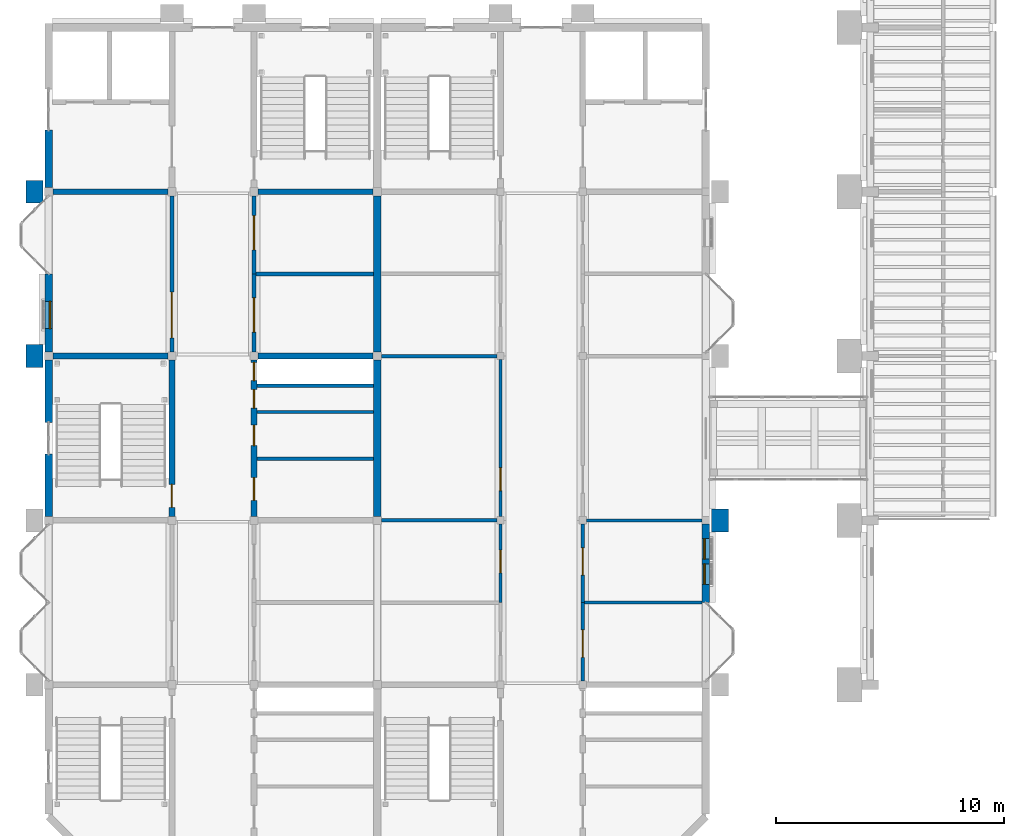
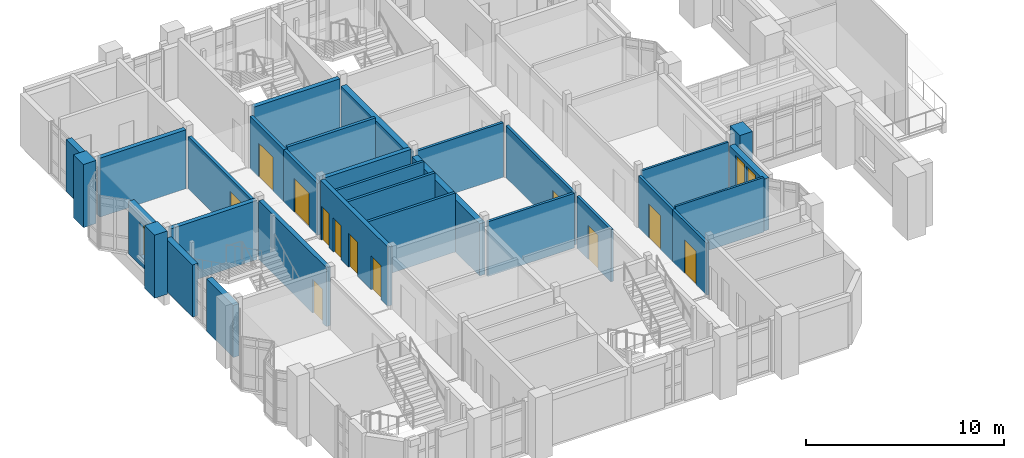
# One storey, part 40 of 69: 31 walls, 12 doors, 3 windows, 15 openings.
"""IFC4 building model written with IfcOpenShell, lengths in metres."""

from ifc_helpers import new_model, si_unit, direction, frame, frame_2d, origin, place, context, subcontext, project, spatial, rectangle, extrude, material, layer, layer_set, type_object, element, fill, save


model = new_model("IFC4")

# Units and contexts
model_context = context("Model", 3, precision=1e-05, world=origin(), true_north=direction((0.0, 1.0)))
body_context = subcontext(model_context, "Body", "Model", "MODEL_VIEW")
ifc_project = project(units=[si_unit("LENGTHUNIT", "METRE"), si_unit("AREAUNIT", "SQUARE_METRE"), si_unit("VOLUMEUNIT", "CUBIC_METRE"), si_unit("PLANEANGLEUNIT", "RADIAN"), si_unit("MASSUNIT", "GRAM", prefix="KILO")], contexts=[model_context])

# Site, building, storey
site_placement = place(None, origin())
site = spatial("IfcSite", under=ifc_project, at=site_placement, CompositionType="ELEMENT")
building_placement = place(site_placement, origin())
building = spatial("IfcBuilding", under=site, at=building_placement, Name="Mazhai Court Health Centre", CompositionType="ELEMENT")
storey_placement = place(building_placement, frame((0.0, 0.0, 6.300048828125)))
storey = spatial("IfcBuildingStorey", under=building, at=storey_placement, Name="L01", CompositionType="ELEMENT", Elevation=6.300048828125)

# Walls
ifc_material_1 = material(Name="Clay brick masonry", Category="masonry")
ifc_layer_1 = layer(ifc_material_1, 0.75)
ifc_layer_set_1 = layer_set([ifc_layer_1], Name="BRICK PIER 750")
wall_type_1 = type_object("IfcWallType", Name="BRICK PIER 750", PredefinedType="SOLIDWALL", material=ifc_layer_set_1)
for number, where, z_axis, x_axis, name in (
    (1, (5.574951171875, 27.300048828125, 0.0), (0.0, 0.0, 1.0), (0.0, 1.0, 0.0), "EP-V2-L01-A3"),
    (2, (5.574951171875, 34.5, 0.0), (0.0, 0.0, 1.0), (0.0, 1.0, 0.0), "EP-V2-L01-A4"),
    (3, (35.625, 21.10009765625, 0.0), (0.0, 0.0, 1.0), (0.0, -1.0, 0.0), "EP-V5-L01-B2"),
):
    element("IfcWall", number, at=place(storey_placement, frame(where, z_axis=z_axis, x_axis=x_axis)), inside=storey, type_object=wall_type_1, Name=name, PredefinedType="SOLIDWALL", context=body_context, shape_type="SweptSolid", body=[
        extrude(rectangle(XDim=1.0, YDim=0.75, at=frame_2d((0.5, 0.0))), origin(), (0.0, 0.0, 1.0), 3.89990234375),
    ])
ifc_material_2 = material(Name="Clay brick masonry", Category="masonry")
ifc_layer_2 = layer(ifc_material_2, 0.330078125)
ifc_layer_set_2 = layer_set([ifc_layer_2], Name="BRICK WALL 330 EXTERNAL")
wall_type_2 = type_object("IfcWallType", Name="BRICK WALL 330 EXTERNAL", PredefinedType="SOLIDWALL", material=ifc_layer_set_2)
wall_1_placement = place(storey_placement, frame((6.199951171875, 20.780029296875, 0.0), z_axis=(0.0, 0.0, 1.0), x_axis=(0.0, 1.0, 0.0)))
element("IfcWall", 4, at=wall_1_placement, inside=storey, type_object=wall_type_2, Name="EW-V2-L01-A2a", PredefinedType="SOLIDWALL", context=body_context, shape_type="SweptSolid", body=[
    extrude(rectangle(XDim=2.719970703125, YDim=0.330078125, at=frame_2d((1.35986328125, 0.0))), origin(), (0.0, 0.0, 1.0), 3.219970703125),
])
wall_2_placement = place(storey_placement, frame((6.199951171875, 24.89990234375, 0.0), z_axis=(0.0, 0.0, 1.0), x_axis=(0.0, 1.0, 0.0)))
element("IfcWall", 5, at=wall_2_placement, inside=storey, type_object=wall_type_2, Name="EW-V2-L01-A2b", PredefinedType="SOLIDWALL", context=body_context, shape_type="SweptSolid", body=[
    extrude(rectangle(XDim=2.72021484375, YDim=0.330078125, at=frame_2d((1.360107421875, 0.0))), origin(), (0.0, 0.0, 1.0), 3.219970703125),
])

# Wall, opening, window
wall_3_placement = place(storey_placement, frame((6.199951171875, 27.97998046875, 0.0), z_axis=(0.0, 0.0, 1.0), x_axis=(0.0, 1.0, 0.0)))
wall_3 = element("IfcWall", 6, at=wall_3_placement, inside=storey, type_object=wall_type_2, Name="EW-V2-L01-A3p0", PredefinedType="SOLIDWALL", context=body_context, shape_type="SweptSolid", body=[
    extrude(rectangle(XDim=3.419921875, YDim=0.330078125, at=frame_2d((1.7099609375, 0.0))), origin(), (0.0, 0.0, 1.0), 3.219970703125),
])
opening_1_placement = place(wall_3_placement, frame((1.02001953125, 0.0, 0.60009765625)))
opening_1 = element("IfcOpeningElement", 7, at=opening_1_placement, cuts=wall_3, Name="Opening W1", PredefinedType="OPENING", context=body_context, shape_type="SweptSolid", body=[
    extrude(rectangle(XDim=1.199951171875, YDim=2.10009765625, at=frame_2d((0.60009765625, 1.050048828125))), frame((0.0, 0.175048828125, 0.0), z_axis=(0.0, -1.0, 0.0), x_axis=(1.0, 0.0, 0.0)), (0.0, 0.0, 1.0), 0.35009765625),
])
ifc_material_3 = material(Name="Teak timber frame, glazed", Category="wood")
window_type_1 = type_object("IfcWindowType", Name="WINDOW CONSULTING 1200x2100", PartitioningType="SINGLE_PANEL", PredefinedType="WINDOW", material=ifc_material_3)
window_1_placement = place(opening_1_placement, origin())
window_1 = element("IfcWindow", 8, at=window_1_placement, inside=storey, type_object=window_type_1, Name="W1 WN-V2-L01-A30", OverallHeight=2.10009765625, OverallWidth=1.199951171875, PartitioningType="SINGLE_PANEL", PredefinedType="WINDOW", context=body_context, shape_type="SweptSolid", body=[
    extrude(rectangle(XDim=1.199951171875, YDim=2.10009765625, at=frame_2d((0.60009765625, 1.050048828125))), frame((0.0, -0.030029296875, 0.0), z_axis=(0.0, -1.0, 0.0), x_axis=(1.0, 0.0, 0.0)), (0.0, 0.0, 1.0), 0.06005859375),
])
fill(opening_1, window_1)

# Wall
wall_4_placement = place(storey_placement, frame((6.199951171875, 35.179931640625, 0.0), z_axis=(0.0, 0.0, 1.0), x_axis=(0.0, 1.0, 0.0)))
element("IfcWall", 9, at=wall_4_placement, inside=storey, type_object=wall_type_2, Name="EW-V2-L01-A4a", PredefinedType="SOLIDWALL", context=body_context, shape_type="SweptSolid", body=[
    extrude(rectangle(XDim=2.52001953125, YDim=0.330078125, at=frame_2d((1.260009765625, 0.0))), origin(), (0.0, 0.0, 1.0), 3.219970703125),
])

# Wall, openings, windows
wall_5_placement = place(storey_placement, frame((35.0, 20.43994140625, 0.0), z_axis=(0.0, 0.0, 1.0), x_axis=(0.0, -1.0, 0.0)))
wall_5 = element("IfcWall", 10, at=wall_5_placement, inside=storey, type_object=wall_type_2, Name="EW-V5-L01-B1p1", PredefinedType="SOLIDWALL", context=body_context, shape_type="SweptSolid", body=[
    extrude(rectangle(XDim=3.43994140625, YDim=0.330078125, at=frame_2d((1.719970703125, 0.0))), origin(), (0.0, 0.0, 1.0), 3.219970703125),
])
opening_2_placement = place(wall_5_placement, frame((1.739990234375, 0.0, 0.60009765625)))
opening_2 = element("IfcOpeningElement", 11, at=opening_2_placement, cuts=wall_5, Name="Opening W14", PredefinedType="OPENING", context=body_context, shape_type="SweptSolid", body=[
    extrude(rectangle(XDim=0.89990234375, YDim=2.39990234375, at=frame_2d((0.449951171875, 1.199951171875))), frame((0.0, 0.175048828125, 0.0), z_axis=(0.0, -1.0, 0.0), x_axis=(1.0, 0.0, 0.0)), (0.0, 0.0, 1.0), 0.35009765625),
])
opening_3_placement = place(wall_5_placement, frame((0.639892578125, 0.0, 0.60009765625)))
opening_3 = element("IfcOpeningElement", 12, at=opening_3_placement, cuts=wall_5, Name="Opening W14", PredefinedType="OPENING", context=body_context, shape_type="SweptSolid", body=[
    extrude(rectangle(XDim=0.89990234375, YDim=2.39990234375, at=frame_2d((0.449951171875, 1.199951171875))), frame((0.0, 0.175048828125, 0.0), z_axis=(0.0, -1.0, 0.0), x_axis=(1.0, 0.0, 0.0)), (0.0, 0.0, 1.0), 0.35009765625),
])
ifc_material_4 = material(Name="Teak timber frame, glazed", Category="wood")
window_type_2 = type_object("IfcWindowType", Name="WINDOW TALL PAIRED 900x2400", PartitioningType="SINGLE_PANEL", PredefinedType="WINDOW", material=ifc_material_4)
window_2_placement = place(opening_2_placement, origin())
window_2 = element("IfcWindow", 13, at=window_2_placement, inside=storey, type_object=window_type_2, Name="W14 WN-V5-L01-B11a", OverallHeight=2.39990234375, OverallWidth=0.89990234375, PartitioningType="SINGLE_PANEL", PredefinedType="WINDOW", context=body_context, shape_type="SweptSolid", body=[
    extrude(rectangle(XDim=0.89990234375, YDim=2.39990234375, at=frame_2d((0.449951171875, 1.199951171875))), frame((0.0, -0.030029296875, 0.0), z_axis=(0.0, -1.0, 0.0), x_axis=(1.0, 0.0, 0.0)), (0.0, 0.0, 1.0), 0.06005859375),
])
fill(opening_2, window_2)
window_3_placement = place(opening_3_placement, origin())
window_3 = element("IfcWindow", 14, at=window_3_placement, inside=storey, type_object=window_type_2, Name="W14 WN-V5-L01-B11b", OverallHeight=2.39990234375, OverallWidth=0.89990234375, PartitioningType="SINGLE_PANEL", PredefinedType="WINDOW", context=body_context, shape_type="SweptSolid", body=[
    extrude(rectangle(XDim=0.89990234375, YDim=2.39990234375, at=frame_2d((0.449951171875, 1.199951171875))), frame((0.0, -0.030029296875, 0.0), z_axis=(0.0, -1.0, 0.0), x_axis=(1.0, 0.0, 0.0)), (0.0, 0.0, 1.0), 0.06005859375),
])
fill(opening_3, window_3)

# Walls
ifc_material_5 = material(Name="Clay brick masonry", Category="masonry")
ifc_layer_3 = layer(ifc_material_5, 0.330078125)
ifc_layer_set_3 = layer_set([ifc_layer_3], Name="BRICK WALL 330 INTERNAL")
wall_type_3 = type_object("IfcWallType", Name="BRICK WALL 330 INTERNAL", PredefinedType="SOLIDWALL", material=ifc_layer_set_3)
for number, where, z_axis, x_axis, name in (
    (15, (20.60009765625, 27.6201171875, 0.0), (0.0, 0.0, 1.0), (0.0, -1.0, 0.0), "EW-V2-L01-B2"),
    (16, (20.60009765625, 34.820068359375, 0.0), (0.0, 0.0, 1.0), (0.0, -1.0, 0.0), "EW-V2-L01-B3"),
):
    element("IfcWall", number, at=place(storey_placement, frame(where, z_axis=z_axis, x_axis=x_axis)), inside=storey, type_object=wall_type_3, Name=name, PredefinedType="SOLIDWALL", context=body_context, shape_type="SweptSolid", body=[
        extrude(rectangle(XDim=6.840087890625, YDim=0.330078125, at=frame_2d((3.419921875, 0.0))), origin(), (0.0, 0.0, 1.0), 3.219970703125),
    ])
ifc_material_6 = material(Name="Gypsum plasterboard partition")
ifc_layer_4 = layer(ifc_material_6, 0.125)
ifc_layer_set_4 = layer_set([ifc_layer_4], Name="PARTITION 125 STUD EI30")
wall_type_4 = type_object("IfcWallType", Name="PARTITION 125 STUD EI30", PredefinedType="PARTITIONING", material=ifc_layer_set_4)
wall_6_placement = place(storey_placement, frame((34.8349609375, 17.0, 0.0), z_axis=(0.0, 0.0, 1.0), x_axis=(-1.0, 0.0, 0.0)))
element("IfcWall", 17, at=wall_6_placement, inside=storey, type_object=wall_type_4, Name="wall-V5-L01-B0-cross-1a", PredefinedType="PARTITIONING", context=body_context, shape_type="SweptSolid", body=[
    extrude(rectangle(XDim=5.159912109375, YDim=0.125, at=frame_2d((2.580078125, 0.0))), origin(), (0.0, 0.0, 1.0), 3.3798828125),
])
wall_7_placement = place(storey_placement, frame((34.8349609375, 20.60009765625, 0.0), z_axis=(0.0, 0.0, 1.0), x_axis=(-1.0, 0.0, 0.0)))
element("IfcWall", 18, at=wall_7_placement, inside=storey, type_object=wall_type_4, Name="wall-V5-L01-B0-cross-2a", PredefinedType="PARTITIONING", context=body_context, shape_type="SweptSolid", body=[
    extrude(rectangle(XDim=5.074951171875, YDim=0.125, at=frame_2d((2.53759765625, 0.0))), origin(), (0.0, 0.0, 1.0), 3.3798828125),
])

# Wall, opening, door
ifc_material_7 = material(Name="Gypsum plasterboard partition")
ifc_layer_5 = layer(ifc_material_7, 0.14990234375)
ifc_layer_set_5 = layer_set([ifc_layer_5], Name="PARTITION 150 CORRIDOR EI60")
wall_type_5 = type_object("IfcWallType", Name="PARTITION 150 CORRIDOR EI60", PredefinedType="PARTITIONING", material=ifc_layer_set_5)
wall_8_placement = place(storey_placement, frame((26.0, 17.0, 0.0), z_axis=(0.0, 0.0, 1.0), x_axis=(0.0, 1.0, 0.0)))
wall_8 = element("IfcWall", 19, at=wall_8_placement, inside=storey, type_object=wall_type_5, Name="wall-V5-L01-A0-corr-1a", PredefinedType="PARTITIONING", context=body_context, shape_type="SweptSolid", body=[
    extrude(rectangle(XDim=3.43994140625, YDim=0.14990234375, at=frame_2d((1.719970703125, 0.0))), origin(), (0.0, 0.0, 1.0), 3.219970703125),
])
opening_4_placement = place(wall_8_placement, frame((1.300048828125, 0.0, 0.0)))
opening_4 = element("IfcOpeningElement", 20, at=opening_4_placement, cuts=wall_8, Name="Opening D-L01-021", PredefinedType="OPENING", context=body_context, shape_type="SweptSolid", body=[
    extrude(rectangle(XDim=1.0, YDim=2.10009765625, at=frame_2d((0.5, 1.050048828125))), frame((0.0, 0.0849609375, 0.0), z_axis=(0.0, -1.0, 0.0), x_axis=(1.0, 0.0, 0.0)), (0.0, 0.0, 1.0), 0.169921875),
])
ifc_material_8 = material(Name="Hardwood door leaf", Category="wood")
door_type_1 = type_object("IfcDoorType", Name="DOOR 1000x2100 FD30S SINGLE", OperationType="NOTDEFINED", PredefinedType="DOOR", material=ifc_material_8)
door_1_placement = place(opening_4_placement, origin())
door_1 = element("IfcDoor", 21, at=door_1_placement, inside=storey, type_object=door_type_1, Name="door-V5-L01-A0-specimen-reception", OperationType="SINGLE_SWING_RIGHT", OverallHeight=2.10009765625, OverallWidth=1.0, PredefinedType="DOOR", context=body_context, shape_type="SweptSolid", body=[
    extrude(rectangle(XDim=1.0, YDim=2.10009765625, at=frame_2d((0.5, 1.050048828125))), frame((0.0, 0.02490234375, 0.0), z_axis=(0.0, -1.0, 0.0), x_axis=(1.0, 0.0, 0.0)), (0.0, 0.0, 1.0), 0.050048828125),
])
fill(opening_4, door_1)

wall_9_placement = place(storey_placement, frame((26.0, 20.760009765625, 0.0), z_axis=(0.0, 0.0, 1.0), x_axis=(0.0, 1.0, 0.0)))
wall_9 = element("IfcWall", 22, at=wall_9_placement, inside=storey, type_object=wall_type_5, Name="wall-V5-L01-A0-corr-2a", PredefinedType="PARTITIONING", context=body_context, shape_type="SweptSolid", body=[
    extrude(rectangle(XDim=6.8798828125, YDim=0.14990234375, at=frame_2d((3.43994140625, 0.0))), origin(), (0.0, 0.0, 1.0), 3.219970703125),
])
opening_5_placement = place(wall_9_placement, frame((1.139892578125, 0.0, 0.0)))
opening_5 = element("IfcOpeningElement", 23, at=opening_5_placement, cuts=wall_9, Name="Opening D-L01-022", PredefinedType="OPENING", context=body_context, shape_type="SweptSolid", body=[
    extrude(rectangle(XDim=1.0, YDim=2.10009765625, at=frame_2d((0.5, 1.050048828125))), frame((0.0, 0.0849609375, 0.0), z_axis=(0.0, -1.0, 0.0), x_axis=(1.0, 0.0, 0.0)), (0.0, 0.0, 1.0), 0.169921875),
])
door_2_placement = place(opening_5_placement, origin())
door_2 = element("IfcDoor", 24, at=door_2_placement, inside=storey, type_object=door_type_1, Name="door-V5-L01-A0-clinical-biochemistry-laboratory", OperationType="SINGLE_SWING_LEFT", OverallHeight=2.10009765625, OverallWidth=1.0, PredefinedType="DOOR", context=body_context, shape_type="SweptSolid", body=[
    extrude(rectangle(XDim=1.0, YDim=2.10009765625, at=frame_2d((0.5, 1.050048828125))), frame((0.0, 0.02490234375, 0.0), z_axis=(0.0, -1.0, 0.0), x_axis=(1.0, 0.0, 0.0)), (0.0, 0.0, 1.0), 0.050048828125),
])
fill(opening_5, door_2)

wall_10_placement = place(storey_placement, frame((29.60009765625, 17.0, 0.0), z_axis=(0.0, 0.0, 1.0), x_axis=(0.0, -1.0, 0.0)))
wall_10 = element("IfcWall", 25, at=wall_10_placement, inside=storey, type_object=wall_type_5, Name="wall-V5-L01-B0-corr-0a", PredefinedType="PARTITIONING", context=body_context, shape_type="SweptSolid", body=[
    extrude(rectangle(XDim=3.43994140625, YDim=0.14990234375, at=frame_2d((1.719970703125, 0.0))), origin(), (0.0, 0.0, 1.0), 3.219970703125),
])
opening_6_placement = place(wall_10_placement, frame((1.199951171875, 0.0, 0.0)))
opening_6 = element("IfcOpeningElement", 26, at=opening_6_placement, cuts=wall_10, Name="Opening D-L01-030", PredefinedType="OPENING", context=body_context, shape_type="SweptSolid", body=[
    extrude(rectangle(XDim=1.199951171875, YDim=2.10009765625, at=frame_2d((0.60009765625, 1.050048828125))), frame((0.0, 0.0849609375, 0.0), z_axis=(0.0, -1.0, 0.0), x_axis=(1.0, 0.0, 0.0)), (0.0, 0.0, 1.0), 0.169921875),
])
ifc_material_9 = material(Name="Hardwood door leaf", Category="wood")
door_type_2 = type_object("IfcDoorType", Name="DOOR 1200x2100 FD30S WIDE SINGLE", OperationType="NOTDEFINED", PredefinedType="DOOR", material=ifc_material_9)
door_3_placement = place(opening_6_placement, origin())
door_3 = element("IfcDoor", 27, at=door_3_placement, inside=storey, type_object=door_type_2, Name="door-V5-L01-B0-dental-surgery-1", OperationType="SINGLE_SWING_RIGHT", OverallHeight=2.10009765625, OverallWidth=1.199951171875, PredefinedType="DOOR", context=body_context, shape_type="SweptSolid", body=[
    extrude(rectangle(XDim=1.199951171875, YDim=2.10009765625, at=frame_2d((0.60009765625, 1.050048828125))), frame((0.0, 0.02490234375, 0.0), z_axis=(0.0, -1.0, 0.0), x_axis=(1.0, 0.0, 0.0)), (0.0, 0.0, 1.0), 0.050048828125),
])
fill(opening_6, door_3)

wall_11_placement = place(storey_placement, frame((29.60009765625, 20.43994140625, 0.0), z_axis=(0.0, 0.0, 1.0), x_axis=(0.0, -1.0, 0.0)))
wall_11 = element("IfcWall", 28, at=wall_11_placement, inside=storey, type_object=wall_type_5, Name="wall-V5-L01-B0-corr-1a", PredefinedType="PARTITIONING", context=body_context, shape_type="SweptSolid", body=[
    extrude(rectangle(XDim=3.43994140625, YDim=0.14990234375, at=frame_2d((1.719970703125, 0.0))), origin(), (0.0, 0.0, 1.0), 3.219970703125),
])
opening_7_placement = place(wall_11_placement, frame((1.0400390625, 0.0, 0.0)))
opening_7 = element("IfcOpeningElement", 29, at=opening_7_placement, cuts=wall_11, Name="Opening D-L01-031", PredefinedType="OPENING", context=body_context, shape_type="SweptSolid", body=[
    extrude(rectangle(XDim=1.199951171875, YDim=2.10009765625, at=frame_2d((0.60009765625, 1.050048828125))), frame((0.0, 0.0849609375, 0.0), z_axis=(0.0, -1.0, 0.0), x_axis=(1.0, 0.0, 0.0)), (0.0, 0.0, 1.0), 0.169921875),
])
door_4_placement = place(opening_7_placement, origin())
door_4 = element("IfcDoor", 30, at=door_4_placement, inside=storey, type_object=door_type_2, Name="door-V5-L01-B0-dental-surgery-2", OperationType="SINGLE_SWING_LEFT", OverallHeight=2.10009765625, OverallWidth=1.199951171875, PredefinedType="DOOR", context=body_context, shape_type="SweptSolid", body=[
    extrude(rectangle(XDim=1.199951171875, YDim=2.10009765625, at=frame_2d((0.60009765625, 1.050048828125))), frame((0.0, 0.02490234375, 0.0), z_axis=(0.0, -1.0, 0.0), x_axis=(1.0, 0.0, 0.0)), (0.0, 0.0, 1.0), 0.050048828125),
])
fill(opening_7, door_4)

# Walls
ifc_material_10 = material(Name="Gypsum plasterboard partition")
ifc_layer_6 = layer(ifc_material_10, 0.14990234375)
ifc_layer_set_6 = layer_set([ifc_layer_6], Name="PARTITION 150 WET AREA EI30")
wall_type_6 = type_object("IfcWallType", Name="PARTITION 150 WET AREA EI30", PredefinedType="PARTITIONING", material=ifc_layer_set_6)
for number, where, z_axis, x_axis, name in (
    (31, (20.780029296875, 20.60009765625, 0.0), (0.0, 0.0, 1.0), (1.0, 0.0, 0.0), "wall-V5-L01-A0-cross-2a"),
    (32, (20.780029296875, 27.800048828125, 0.0), (0.0, 0.0, 1.0), (1.0, 0.0, 0.0), "wall-V5-L01-A0-cross-3a"),
):
    element("IfcWall", number, at=place(storey_placement, frame(where, z_axis=z_axis, x_axis=x_axis)), inside=storey, type_object=wall_type_6, Name=name, PredefinedType="PARTITIONING", context=body_context, shape_type="SweptSolid", body=[
        extrude(rectangle(XDim=5.06005859375, YDim=0.14990234375, at=frame_2d((2.530029296875, 0.0))), origin(), (0.0, 0.0, 1.0), 3.3798828125),
    ])

# Wall, opening, door
ifc_material_11 = material(Name="Gypsum plasterboard partition")
ifc_layer_7 = layer(ifc_material_11, 0.175048828125)
ifc_layer_set_7 = layer_set([ifc_layer_7], Name="PARTITION 175 FIRE EI60")
wall_type_7 = type_object("IfcWallType", Name="PARTITION 175 FIRE EI60", PredefinedType="PARTITIONING", material=ifc_layer_set_7)
wall_12_placement = place(storey_placement, frame((11.60009765625, 27.97998046875, 0.0), z_axis=(0.0, 0.0, 1.0), x_axis=(0.0, 1.0, 0.0)))
wall_12 = element("IfcWall", 33, at=wall_12_placement, inside=storey, type_object=wall_type_7, Name="wall-V2-L01-A1-corr-0a", PredefinedType="PARTITIONING", context=body_context, shape_type="SweptSolid", body=[
    extrude(rectangle(XDim=6.840087890625, YDim=0.175048828125, at=frame_2d((3.419921875, 0.0))), origin(), (0.0, 0.0, 1.0), 3.219970703125),
])
opening_8_placement = place(wall_12_placement, frame((0.6201171875, 0.0, 0.0)))
opening_8 = element("IfcOpeningElement", 34, at=opening_8_placement, cuts=wall_12, Name="Opening D-L01-004", PredefinedType="OPENING", context=body_context, shape_type="SweptSolid", body=[
    extrude(rectangle(XDim=2.0, YDim=2.39990234375, at=frame_2d((1.0, 1.199951171875))), frame((0.0, 0.097412109375, 0.0), z_axis=(0.0, -1.0, 0.0), x_axis=(1.0, 0.0, 0.0)), (0.0, 0.0, 1.0), 0.195068359375),
])
ifc_material_12 = material(Name="Hardwood door leaf", Category="wood")
door_type_3 = type_object("IfcDoorType", Name="DOOR 2000x2400 FD60 THEATRE DOUBLE", OperationType="NOTDEFINED", PredefinedType="DOOR", material=ifc_material_12)
door_5_placement = place(opening_8_placement, origin())
door_5 = element("IfcDoor", 35, at=door_5_placement, inside=storey, type_object=door_type_3, Name="door-V2-L01-A1-operating-theatre-2", OperationType="DOUBLE_DOOR_SINGLE_SWING", OverallHeight=2.39990234375, OverallWidth=2.0, PredefinedType="DOOR", context=body_context, shape_type="SweptSolid", body=[
    extrude(rectangle(XDim=2.0, YDim=2.39990234375, at=frame_2d((1.0, 1.199951171875))), frame((0.0, 0.02490234375, 0.0), z_axis=(0.0, -1.0, 0.0), x_axis=(1.0, 0.0, 0.0)), (0.0, 0.0, 1.0), 0.050048828125),
])
fill(opening_8, door_5)

wall_13_placement = place(storey_placement, frame((15.199951171875, 31.39990234375, 0.0), z_axis=(0.0, 0.0, 1.0), x_axis=(0.0, -1.0, 0.0)))
wall_13 = element("IfcWall", 36, at=wall_13_placement, inside=storey, type_object=wall_type_7, Name="wall-V2-L01-B1-corr-0a", PredefinedType="PARTITIONING", context=body_context, shape_type="SweptSolid", body=[
    extrude(rectangle(XDim=3.419921875, YDim=0.175048828125, at=frame_2d((1.7099609375, 0.0))), origin(), (0.0, 0.0, 1.0), 3.219970703125),
])
opening_9_placement = place(wall_13_placement, frame((1.050048828125, 0.0, 0.0)))
opening_9 = element("IfcOpeningElement", 37, at=opening_9_placement, cuts=wall_13, Name="Opening D-L01-016", PredefinedType="OPENING", context=body_context, shape_type="SweptSolid", body=[
    extrude(rectangle(XDim=1.5, YDim=2.10009765625, at=frame_2d((0.75, 1.050048828125))), frame((0.0, 0.097412109375, 0.0), z_axis=(0.0, -1.0, 0.0), x_axis=(1.0, 0.0, 0.0)), (0.0, 0.0, 1.0), 0.195068359375),
])
ifc_material_13 = material(Name="Hardwood door leaf", Category="wood")
door_type_4 = type_object("IfcDoorType", Name="DOOR 1500x2100 FD60 DOUBLE", OperationType="NOTDEFINED", PredefinedType="DOOR", material=ifc_material_13)
door_6_placement = place(opening_9_placement, origin())
door_6 = element("IfcDoor", 38, at=door_6_placement, inside=storey, type_object=door_type_4, Name="door-V2-L01-B1-sterile-store", OperationType="DOUBLE_DOOR_SINGLE_SWING", OverallHeight=2.10009765625, OverallWidth=1.5, PredefinedType="DOOR", context=body_context, shape_type="SweptSolid", body=[
    extrude(rectangle(XDim=1.5, YDim=2.10009765625, at=frame_2d((0.75, 1.050048828125))), frame((0.0, 0.02490234375, 0.0), z_axis=(0.0, -1.0, 0.0), x_axis=(1.0, 0.0, 0.0)), (0.0, 0.0, 1.0), 0.050048828125),
])
fill(opening_9, door_6)

wall_14_placement = place(storey_placement, frame((15.199951171875, 34.820068359375, 0.0), z_axis=(0.0, 0.0, 1.0), x_axis=(0.0, -1.0, 0.0)))
wall_14 = element("IfcWall", 39, at=wall_14_placement, inside=storey, type_object=wall_type_7, Name="wall-V2-L01-B1-corr-1a", PredefinedType="PARTITIONING", context=body_context, shape_type="SweptSolid", body=[
    extrude(rectangle(XDim=3.420166015625, YDim=0.175048828125, at=frame_2d((1.7099609375, 0.0))), origin(), (0.0, 0.0, 1.0), 3.219970703125),
])
opening_10_placement = place(wall_14_placement, frame((0.8701171875, 0.0, 0.0)))
opening_10 = element("IfcOpeningElement", 40, at=opening_10_placement, cuts=wall_14, Name="Opening D-L01-017", PredefinedType="OPENING", context=body_context, shape_type="SweptSolid", body=[
    extrude(rectangle(XDim=1.5, YDim=2.10009765625, at=frame_2d((0.75, 1.050048828125))), frame((0.0, 0.097412109375, 0.0), z_axis=(0.0, -1.0, 0.0), x_axis=(1.0, 0.0, 0.0)), (0.0, 0.0, 1.0), 0.195068359375),
])
door_7_placement = place(opening_10_placement, origin())
door_7 = element("IfcDoor", 41, at=door_7_placement, inside=storey, type_object=door_type_4, Name="door-V2-L01-B1-clean-utility", OperationType="DOUBLE_DOOR_SINGLE_SWING", OverallHeight=2.10009765625, OverallWidth=1.5, PredefinedType="DOOR", context=body_context, shape_type="SweptSolid", body=[
    extrude(rectangle(XDim=1.5, YDim=2.10009765625, at=frame_2d((0.75, 1.050048828125))), frame((0.0, 0.02490234375, 0.0), z_axis=(0.0, -1.0, 0.0), x_axis=(1.0, 0.0, 0.0)), (0.0, 0.0, 1.0), 0.050048828125),
])
fill(opening_10, door_7)

# Wall
wall_15_placement = place(storey_placement, frame((20.43505859375, 31.39990234375, 0.0), z_axis=(0.0, 0.0, 1.0), x_axis=(-1.0, 0.0, 0.0)))
element("IfcWall", 42, at=wall_15_placement, inside=storey, type_object=wall_type_7, Name="wall-V2-L01-B1-cross-1a", PredefinedType="PARTITIONING", context=body_context, shape_type="SweptSolid", body=[
    extrude(rectangle(XDim=5.1474609375, YDim=0.175048828125, at=frame_2d((2.57373046875, 0.0))), origin(), (0.0, 0.0, 1.0), 3.3798828125),
])

# Wall, opening, door
ifc_material_14 = material(Name="Concrete M40", Category="concrete")
ifc_layer_8 = layer(ifc_material_14, 0.25)
ifc_layer_set_8 = layer_set([ifc_layer_8], Name="RC CORE WALL 250 M40")
wall_type_8 = type_object("IfcWallType", Name="RC CORE WALL 250 M40", PredefinedType="SHEAR", material=ifc_layer_set_8)
wall_16_placement = place(storey_placement, frame((11.60009765625, 20.780029296875, 0.0), z_axis=(0.0, 0.0, 1.0), x_axis=(0.0, 1.0, 0.0)))
wall_16 = element("IfcWall", 43, at=wall_16_placement, inside=storey, type_object=wall_type_8, Name="core-C2-w-stair-corr-L01", PredefinedType="SHEAR", context=body_context, shape_type="SweptSolid", body=[
    extrude(rectangle(XDim=6.840087890625, YDim=0.25, at=frame_2d((3.419921875, 0.0))), origin(), (0.0, 0.0, 1.0), 3.64990234375),
])
opening_11_placement = place(wall_16_placement, frame((0.39501953125, 0.0, 0.0)))
opening_11 = element("IfcOpeningElement", 44, at=opening_11_placement, cuts=wall_16, Name="Opening D-L01-003", PredefinedType="OPENING", context=body_context, shape_type="SweptSolid", body=[
    extrude(rectangle(XDim=1.0, YDim=2.10009765625, at=frame_2d((0.5, 1.050048828125))), frame((0.0, 0.135009765625, 0.0), z_axis=(0.0, -1.0, 0.0), x_axis=(1.0, 0.0, 0.0)), (0.0, 0.0, 1.0), 0.27001953125),
])
ifc_material_15 = material(Name="Steel fire door leaf", Category="steel")
door_type_5 = type_object("IfcDoorType", Name="FD120S STAIR DOOR 1000x2100", OperationType="SINGLE_SWING_LEFT", PredefinedType="DOOR", material=ifc_material_15)
door_8_placement = place(opening_11_placement, origin())
door_8 = element("IfcDoor", 45, at=door_8_placement, inside=storey, type_object=door_type_5, Name="Stair 2 door L01", OperationType="SINGLE_SWING_RIGHT", OverallHeight=2.10009765625, OverallWidth=1.0, PredefinedType="DOOR", context=body_context, shape_type="SweptSolid", body=[
    extrude(rectangle(XDim=1.0, YDim=2.10009765625, at=frame_2d((0.5, 1.050048828125))), frame((0.0, 0.02490234375, 0.0), z_axis=(0.0, -1.0, 0.0), x_axis=(1.0, 0.0, 0.0)), (0.0, 0.0, 1.0), 0.050048828125),
])
fill(opening_11, door_8)

# Wall
wall_17_placement = place(storey_placement, frame((6.3798828125, 27.800048828125, 0.0), z_axis=(0.0, 0.0, 1.0), x_axis=(1.0, 0.0, 0.0)))
element("IfcWall", 46, at=wall_17_placement, inside=storey, type_object=wall_type_8, Name="core-C2-w-stair-line1-L01", PredefinedType="SHEAR", context=body_context, shape_type="SweptSolid", body=[
    extrude(rectangle(XDim=5.0400390625, YDim=0.25, at=frame_2d((2.52001953125, 0.0))), origin(), (0.0, 0.0, 1.0), 3.64990234375),
])

# Wall, openings, doors
wall_18_placement = place(storey_placement, frame((15.199951171875, 20.780029296875, 0.0), z_axis=(0.0, 0.0, 1.0), x_axis=(0.0, 1.0, 0.0)))
wall_18 = element("IfcWall", 47, at=wall_18_placement, inside=storey, type_object=wall_type_8, Name="core-C2-w-other-corr-L01", PredefinedType="SHEAR", context=body_context, shape_type="SweptSolid", body=[
    extrude(rectangle(XDim=6.840087890625, YDim=0.25, at=frame_2d((3.419921875, 0.0))), origin(), (0.0, 0.0, 1.0), 3.64990234375),
])
opening_12_placement = place(wall_18_placement, frame((0.695068359375, 0.0, 0.0)))
opening_12 = element("IfcOpeningElement", 48, at=opening_12_placement, cuts=wall_18, Name="Opening D-L01-012", PredefinedType="OPENING", context=body_context, shape_type="SweptSolid", body=[
    extrude(rectangle(XDim=1.0, YDim=2.10009765625, at=frame_2d((0.5, 1.050048828125))), frame((0.0, 0.135009765625, 0.0), z_axis=(0.0, -1.0, 0.0), x_axis=(1.0, 0.0, 0.0)), (0.0, 0.0, 1.0), 0.27001953125),
])
opening_13_placement = place(wall_18_placement, frame((3.094970703125, 0.0, 0.0)))
opening_13 = element("IfcOpeningElement", 49, at=opening_13_placement, cuts=wall_18, Name="Opening D-L01-013", PredefinedType="OPENING", context=body_context, shape_type="SweptSolid", body=[
    extrude(rectangle(XDim=0.89990234375, YDim=2.10009765625, at=frame_2d((0.449951171875, 1.050048828125))), frame((0.0, 0.135009765625, 0.0), z_axis=(0.0, -1.0, 0.0), x_axis=(1.0, 0.0, 0.0)), (0.0, 0.0, 1.0), 0.27001953125),
])
opening_14_placement = place(wall_18_placement, frame((4.7451171875, 0.0, 0.0)))
opening_14 = element("IfcOpeningElement", 50, at=opening_14_placement, cuts=wall_18, Name="Opening D-L01-014", PredefinedType="OPENING", context=body_context, shape_type="SweptSolid", body=[
    extrude(rectangle(XDim=0.800048828125, YDim=2.10009765625, at=frame_2d((0.39990234375, 1.050048828125))), frame((0.0, 0.135009765625, 0.0), z_axis=(0.0, -1.0, 0.0), x_axis=(1.0, 0.0, 0.0)), (0.0, 0.0, 1.0), 0.27001953125),
])
opening_15_placement = place(wall_18_placement, frame((5.945068359375, 0.0, 0.0)))
opening_15 = element("IfcOpeningElement", 51, at=opening_15_placement, cuts=wall_18, Name="Opening D-L01-015", PredefinedType="OPENING", context=body_context, shape_type="SweptSolid", body=[
    extrude(rectangle(XDim=0.800048828125, YDim=2.10009765625, at=frame_2d((0.39990234375, 1.050048828125))), frame((0.0, 0.135009765625, 0.0), z_axis=(0.0, -1.0, 0.0), x_axis=(1.0, 0.0, 0.0)), (0.0, 0.0, 1.0), 0.27001953125),
])
ifc_material_16 = material(Name="Timber door leaf", Category="wood")
door_type_6 = type_object("IfcDoorType", Name="ACCESSIBLE WC DOOR 1000x2100", OperationType="SINGLE_SWING_RIGHT", PredefinedType="DOOR", material=ifc_material_16)
door_9_placement = place(opening_12_placement, origin())
door_9 = element("IfcDoor", 52, at=door_9_placement, inside=storey, type_object=door_type_6, Name="Accessible WC door L01", OperationType="SINGLE_SWING_LEFT", OverallHeight=2.10009765625, OverallWidth=1.0, PredefinedType="DOOR", context=body_context, shape_type="SweptSolid", body=[
    extrude(rectangle(XDim=1.0, YDim=2.10009765625, at=frame_2d((0.5, 1.050048828125))), frame((0.0, 0.02490234375, 0.0), z_axis=(0.0, -1.0, 0.0), x_axis=(1.0, 0.0, 0.0)), (0.0, 0.0, 1.0), 0.050048828125),
])
fill(opening_12, door_9)
ifc_material_17 = material(Name="Timber door leaf", Category="wood")
door_type_7 = type_object("IfcDoorType", Name="CLEANER STORE DOOR 800x2100", OperationType="SINGLE_SWING_LEFT", PredefinedType="DOOR", material=ifc_material_17)
door_10_placement = place(opening_14_placement, origin())
door_10 = element("IfcDoor", 53, at=door_10_placement, inside=storey, type_object=door_type_7, Name="Cleaner door L01", OperationType="SINGLE_SWING_LEFT", OverallHeight=2.10009765625, OverallWidth=0.800048828125, PredefinedType="DOOR", context=body_context, shape_type="SweptSolid", body=[
    extrude(rectangle(XDim=0.800048828125, YDim=2.10009765625, at=frame_2d((0.39990234375, 1.050048828125))), frame((0.0, 0.02490234375, 0.0), z_axis=(0.0, -1.0, 0.0), x_axis=(1.0, 0.0, 0.0)), (0.0, 0.0, 1.0), 0.050048828125),
])
fill(opening_14, door_10)
ifc_material_18 = material(Name="Steel fire door leaf", Category="steel")
door_type_8 = type_object("IfcDoorType", Name="FD60S RISER DOOR 800x2100", OperationType="SINGLE_SWING_LEFT", PredefinedType="DOOR", material=ifc_material_18)
door_11_placement = place(opening_15_placement, origin())
door_11 = element("IfcDoor", 54, at=door_11_placement, inside=storey, type_object=door_type_8, Name="Riser door L01", OperationType="SINGLE_SWING_LEFT", OverallHeight=2.10009765625, OverallWidth=0.800048828125, PredefinedType="DOOR", context=body_context, shape_type="SweptSolid", body=[
    extrude(rectangle(XDim=0.800048828125, YDim=2.10009765625, at=frame_2d((0.39990234375, 1.050048828125))), frame((0.0, 0.02490234375, 0.0), z_axis=(0.0, -1.0, 0.0), x_axis=(1.0, 0.0, 0.0)), (0.0, 0.0, 1.0), 0.050048828125),
])
fill(opening_15, door_11)
ifc_material_19 = material(Name="Timber door leaf", Category="wood")
door_type_9 = type_object("IfcDoorType", Name="WC DOOR 900x2100", OperationType="SINGLE_SWING_LEFT", PredefinedType="DOOR", material=ifc_material_19)
door_12_placement = place(opening_13_placement, origin())
door_12 = element("IfcDoor", 55, at=door_12_placement, inside=storey, type_object=door_type_9, Name="WC door L01", OperationType="SINGLE_SWING_LEFT", OverallHeight=2.10009765625, OverallWidth=0.89990234375, PredefinedType="DOOR", context=body_context, shape_type="SweptSolid", body=[
    extrude(rectangle(XDim=0.89990234375, YDim=2.10009765625, at=frame_2d((0.449951171875, 1.050048828125))), frame((0.0, 0.02490234375, 0.0), z_axis=(0.0, -1.0, 0.0), x_axis=(1.0, 0.0, 0.0)), (0.0, 0.0, 1.0), 0.050048828125),
])
fill(opening_13, door_12)

# Walls
for number, where, z_axis, x_axis, name in (
    (56, (15.3798828125, 27.800048828125, 0.0), (0.0, 0.0, 1.0), (1.0, 0.0, 0.0), "core-C2-w-other-line1-L01"),
    (57, (15.3798828125, 35.0, 0.0), (0.0, 0.0, 1.0), (1.0, 0.0, 0.0), "core-C3-w-stair-line0-L01"),
    (58, (6.3798828125, 35.0, 0.0), (0.0, 0.0, 1.0), (1.0, 0.0, 0.0), "core-C3-w-other-line0-L01"),
):
    element("IfcWall", number, at=place(storey_placement, frame(where, z_axis=z_axis, x_axis=x_axis)), inside=storey, type_object=wall_type_8, Name=name, PredefinedType="SHEAR", context=body_context, shape_type="SweptSolid", body=[
        extrude(rectangle(XDim=5.0400390625, YDim=0.25, at=frame_2d((2.52001953125, 0.0))), origin(), (0.0, 0.0, 1.0), 3.64990234375),
    ])
ifc_material_20 = material(Name="Concrete M25", Category="concrete")
ifc_layer_9 = layer(ifc_material_20, 0.14990234375)
ifc_layer_set_9 = layer_set([ifc_layer_9], Name="RC SERVICE ROOM WALL 150 M25")
wall_type_9 = type_object("IfcWallType", Name="RC SERVICE ROOM WALL 150 M25", PredefinedType="PARTITIONING", material=ifc_layer_set_9)
for number, where, z_axis, x_axis, name in (
    (59, (15.324951171875, 23.300048828125, 0.0), (0.0, 0.0, 1.0), (1.0, 0.0, 0.0), "core-C2-w-room0-L01"),
    (60, (15.324951171875, 25.35009765625, 0.0), (0.0, 0.0, 1.0), (1.0, 0.0, 0.0), "core-C2-w-room1-L01"),
    (61, (15.324951171875, 26.5, 0.0), (0.0, 0.0, 1.0), (1.0, 0.0, 0.0), "core-C2-w-room2-L01"),
):
    element("IfcWall", number, at=place(storey_placement, frame(where, z_axis=z_axis, x_axis=x_axis)), inside=storey, type_object=wall_type_9, Name=name, PredefinedType="PARTITIONING", context=body_context, shape_type="SweptSolid", body=[
        extrude(rectangle(XDim=5.110107421875, YDim=0.14990234375, at=frame_2d((2.55517578125, 0.0))), origin(), (0.0, 0.0, 1.0), 3.64990234375),
    ])

save(model, "model.ifc")
